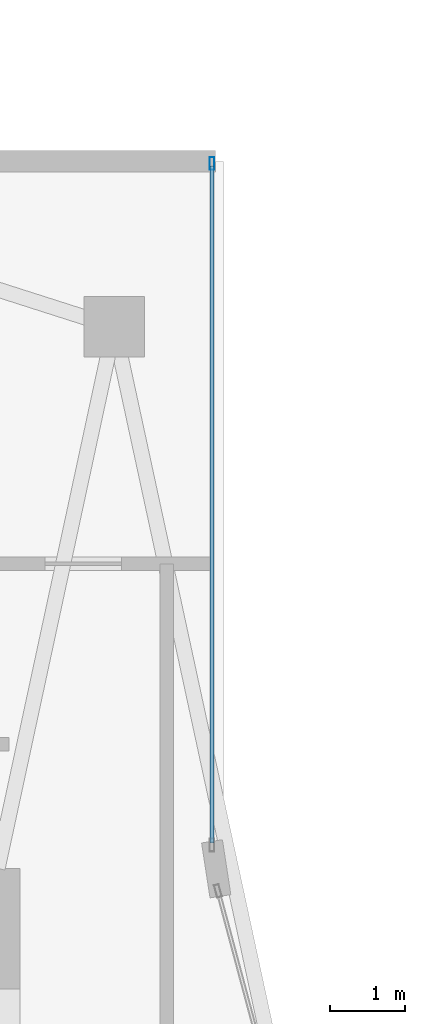
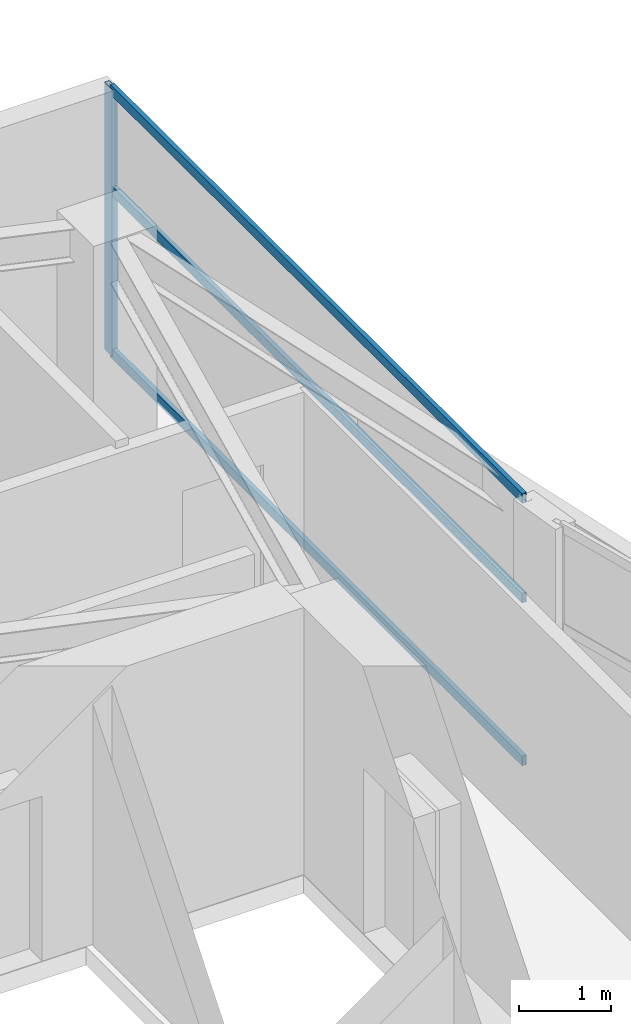
# One storey, part 20 of 28: 4 members, 1 element without a shape of its own.
"""IFC4 building model written with IfcOpenShell, lengths in metres."""

from ifc_helpers import new_model, si_unit, direction, frame, origin, origin_2d, place, context, subcontext, project, spatial, hollow_rectangle, extrude, material, layer, layer_set, material_profile, profile_set, type_object, element, aggregate, save


model = new_model("IFC4")

# Units and contexts
model_context = context("Model", 3, precision=1e-05, world=origin(), true_north=direction((0.0, 1.0)))
body_context = subcontext(model_context, "Body", "Model", "MODEL_VIEW")
ifc_project = project(units=[si_unit("LENGTHUNIT", "METRE"), si_unit("AREAUNIT", "SQUARE_METRE"), si_unit("VOLUMEUNIT", "CUBIC_METRE"), si_unit("PLANEANGLEUNIT", "RADIAN"), si_unit("MASSUNIT", "GRAM", prefix="KILO")], contexts=[model_context])

# Site, building, storey
site_placement = place(None, origin())
site = spatial("IfcSite", under=ifc_project, at=site_placement, CompositionType="ELEMENT")
building_placement = place(site_placement, origin())
building = spatial("IfcBuilding", under=site, at=building_placement, Name="Calvorn Quay Hotel", CompositionType="ELEMENT")
storey_placement = place(building_placement, frame((0.0, 0.0, 267.300048828125)))
storey = spatial("IfcBuildingStorey", under=building, at=storey_placement, Name="L66", CompositionType="ELEMENT", Elevation=267.300048828125)

# Curtain wall, members
ifc_material_1 = material(Name="Champagne Bronze Anodised Aluminium and Low-E Glass", Category="aluminium")
ifc_layer = layer(ifc_material_1, 0.219970703125)
ifc_layer_set = layer_set([ifc_layer], Name="CW-SYS-Z4")
curtain_wall_type = type_object("IfcCurtainWallType", Name="CW-SYS-Z4", PredefinedType="NOTDEFINED", material=ifc_layer_set)
curtain_wall_placement = place(storey_placement, origin())
curtain_wall = element("IfcCurtainWall", 1, at=curtain_wall_placement, inside=storey, type_object=curtain_wall_type, Name="Inner Court Curtain Wall L66-IC2", PredefinedType="NOTDEFINED")
ifc_material_2 = material(Name="Champagne Bronze Anodised Aluminium 6063-T6", Category="aluminium")
ifc_material_profile_1 = material_profile(ifc_material_2, hollow_rectangle(XDim=0.06494140625, YDim=0.169921875, WallThickness=0.00341796875, at=origin_2d()), Name="ALU-M170x65x3.5")
ifc_profile_set_1 = profile_set([ifc_material_profile_1], Name="Champagne Bronze Anodised Aluminium 6063-T6")
member_type_1 = type_object("IfcMemberType", Name="CW-SYS-Z4-MUL", PredefinedType="MULLION", material=ifc_profile_set_1)
member_1_placement = place(storey_placement, frame((17.85009765625, 47.77001953125, 0.0), z_axis=(0.0, 0.0, 1.0), x_axis=(-1.0, 0.0, 0.0)))
member_1 = element("IfcMember", 2, at=member_1_placement, type_object=member_type_1, Name="CW-L66-IC2 mullion 2", PredefinedType="MULLION", context=body_context, shape_type="SweptSolid", body=[
    extrude(hollow_rectangle(XDim=0.06494140625, YDim=0.169921875, WallThickness=0.00341796875, at=origin_2d()), origin(), (0.0, 0.0, 1.0), 3.56005859375),
])
ifc_material_3 = material(Name="Champagne Bronze Anodised Aluminium 6063-T6", Category="aluminium")
ifc_material_profile_2 = material_profile(ifc_material_3, hollow_rectangle(XDim=0.054931640625, YDim=0.1298828125, WallThickness=0.003173828125, at=origin_2d()), Name="ALU-T130x55x3.2")
ifc_profile_set_2 = profile_set([ifc_material_profile_2], Name="Champagne Bronze Anodised Aluminium 6063-T6")
member_type_2 = type_object("IfcMemberType", Name="CW-SYS-Z4-TRN", PredefinedType="USERDEFINED", material=ifc_profile_set_2)
member_2_placement = place(storey_placement, frame((17.85009765625, 38.739990234375, 0.030029296875), z_axis=(0.0, 1.0, 0.0), x_axis=(-1.0, 0.0, 0.0)))
member_2 = element("IfcMember", 3, at=member_2_placement, type_object=member_type_2, Name="CW-L66-IC2 transom 1.1", ObjectType="TRANSOM", PredefinedType="USERDEFINED", context=body_context, shape_type="SweptSolid", body=[
    extrude(hollow_rectangle(XDim=0.054931640625, YDim=0.1298828125, WallThickness=0.003173828125, at=origin_2d()), origin(), (0.0, 0.0, 1.0), 9.0),
])
member_3_placement = place(storey_placement, frame((17.85009765625, 38.739990234375, 2.199951171875), z_axis=(0.0, 1.0, 0.0), x_axis=(-1.0, 0.0, 0.0)))
member_3 = element("IfcMember", 4, at=member_3_placement, type_object=member_type_2, Name="CW-L66-IC2 transom 1.2", ObjectType="TRANSOM", PredefinedType="USERDEFINED", context=body_context, shape_type="SweptSolid", body=[
    extrude(hollow_rectangle(XDim=0.054931640625, YDim=0.1298828125, WallThickness=0.003173828125, at=origin_2d()), origin(), (0.0, 0.0, 1.0), 9.0),
])
member_4_placement = place(storey_placement, frame((17.85009765625, 38.739990234375, 3.530029296875), z_axis=(0.0, 1.0, 0.0), x_axis=(-1.0, 0.0, 0.0)))
member_4 = element("IfcMember", 5, at=member_4_placement, type_object=member_type_2, Name="CW-L66-IC2 transom 1.3", ObjectType="TRANSOM", PredefinedType="USERDEFINED", context=body_context, shape_type="SweptSolid", body=[
    extrude(hollow_rectangle(XDim=0.054931640625, YDim=0.1298828125, WallThickness=0.003173828125, at=origin_2d()), origin(), (0.0, 0.0, 1.0), 9.0),
])
aggregate(curtain_wall, [member_1, member_2, member_3, member_4])

save(model, "model.ifc")
